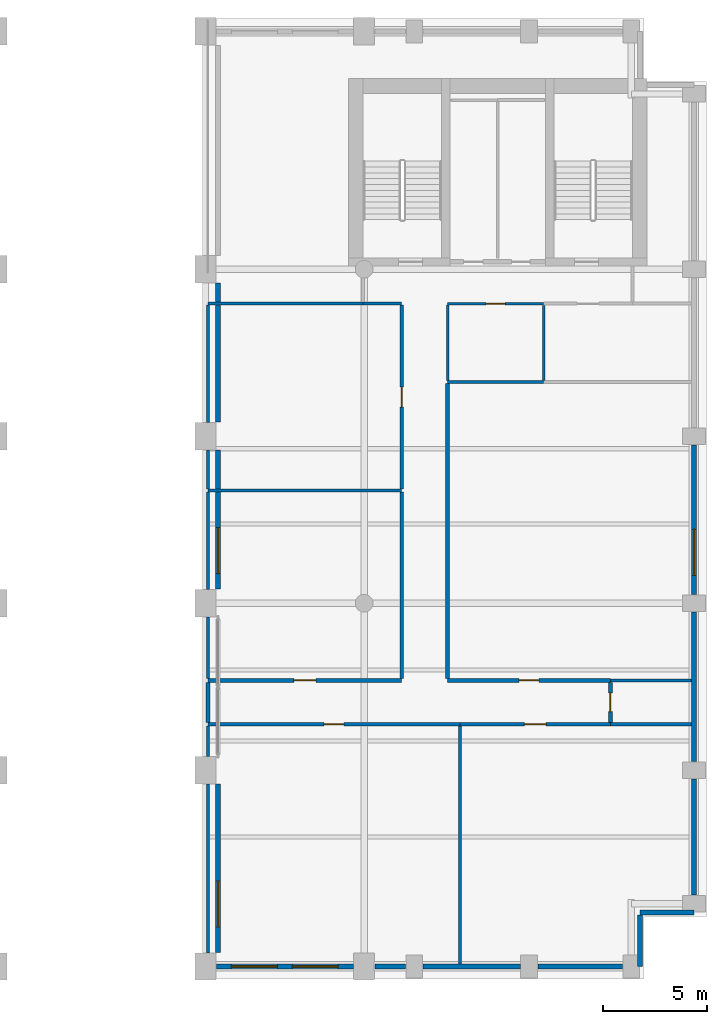
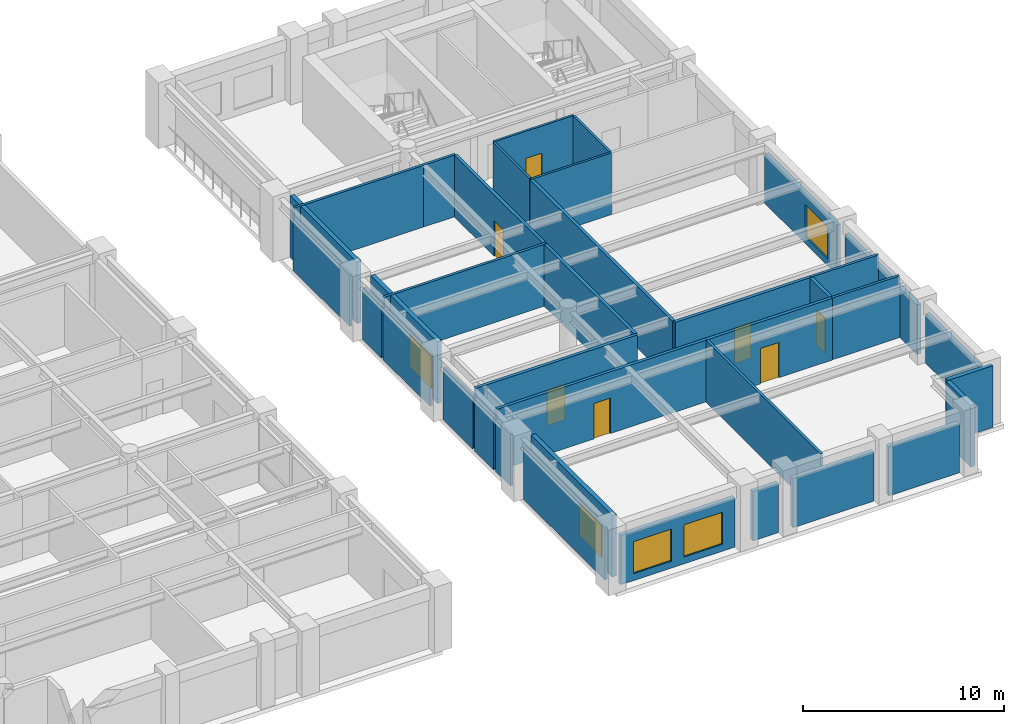
# One storey, part 6 of 10: 37 walls, 7 doors, 5 windows, 12 openings.
"""IFC4 building model written with IfcOpenShell, lengths in metres."""

from ifc_helpers import new_model, si_unit, direction, frame, frame_2d, origin, place, context, subcontext, project, spatial, rectangle, extrude, material, layer, layer_set, type_object, element, fill, save


model = new_model("IFC4")

# Units and contexts
model_context = context("Model", 3, precision=1e-05, world=origin(), true_north=direction((0.0, 1.0)))
body_context = subcontext(model_context, "Body", "Model", "MODEL_VIEW")
ifc_project = project(units=[si_unit("LENGTHUNIT", "METRE"), si_unit("AREAUNIT", "SQUARE_METRE"), si_unit("VOLUMEUNIT", "CUBIC_METRE"), si_unit("PLANEANGLEUNIT", "RADIAN"), si_unit("MASSUNIT", "GRAM", prefix="KILO")], contexts=[model_context])

# Site, building, storey
site_placement = place(None, origin())
site = spatial("IfcSite", under=ifc_project, at=site_placement, CompositionType="ELEMENT")
building_placement = place(site_placement, origin())
building = spatial("IfcBuilding", under=site, at=building_placement, Name="Sulina Concourse Tower", CompositionType="ELEMENT")
storey_placement = place(building_placement, frame((0.0, 0.0, 190.60009765625)))
storey = spatial("IfcBuildingStorey", under=building, at=storey_placement, Name="L46", CompositionType="ELEMENT", Elevation=190.60009765625)

# Wall, openings, windows
ifc_material_1 = material(Name="Precast concrete C50/60", Category="concrete")
ifc_layer_1 = layer(ifc_material_1, 0.239990234375)
ifc_layer_set_1 = layer_set([ifc_layer_1], Name="Precast concrete C50/60")
wall_type_1 = type_object("IfcWallType", Name="Crown Precast Masonry-Frame Facade Wall 240mm", PredefinedType="SOLIDWALL", material=ifc_layer_set_1)
wall_1_placement = place(storey_placement, frame((41.080078125, 0.60009765625, 0.0), z_axis=(0.0, 0.0, 1.0), x_axis=(-1.0, 0.0, 0.0)))
wall_1 = element("IfcWall", 1, at=wall_1_placement, inside=storey, type_object=wall_type_1, Name="L46 exterior precast wall S6", PredefinedType="SOLIDWALL", context=body_context, shape_type="SweptSolid", body=[
    extrude(rectangle(XDim=6.56005859375, YDim=0.239990234375, at=frame_2d((3.280029296875, 0.0))), origin(), (0.0, 0.0, 1.0), 3.0),
])
opening_1_placement = place(wall_1_placement, frame((0.719970703125, 0.0, 0.419921875)))
opening_1 = element("IfcOpeningElement", 2, at=opening_1_placement, cuts=wall_1, Name="Opening WN-76", PredefinedType="OPENING", context=body_context, shape_type="SweptSolid", body=[
    extrude(rectangle(XDim=2.199951171875, YDim=1.949951171875, at=frame_2d((1.10009765625, 0.97509765625))), frame((0.0, 0.1298828125, 0.0), z_axis=(0.0, -1.0, 0.0), x_axis=(1.0, 0.0, 0.0)), (0.0, 0.0, 1.0), 0.260009765625),
])
opening_2_placement = place(wall_1_placement, frame((3.639892578125, 0.0, 0.419921875)))
opening_2 = element("IfcOpeningElement", 3, at=opening_2_placement, cuts=wall_1, Name="Opening WN-76", PredefinedType="OPENING", context=body_context, shape_type="SweptSolid", body=[
    extrude(rectangle(XDim=2.199951171875, YDim=1.949951171875, at=frame_2d((1.10009765625, 0.97509765625))), frame((0.0, 0.1298828125, 0.0), z_axis=(0.0, -1.0, 0.0), x_axis=(1.0, 0.0, 0.0)), (0.0, 0.0, 1.0), 0.260009765625),
])
ifc_material_2 = material(Name="Low-E solar double glazing in bronze aluminium", Category="aluminium")
window_type = type_object("IfcWindowType", Name="Recessed Spandrel Window 2200x1950", PartitioningType="DOUBLE_PANEL_VERTICAL", PredefinedType="WINDOW", material=ifc_material_2)
window_1_placement = place(opening_1_placement, origin())
window_1 = element("IfcWindow", 4, at=window_1_placement, inside=storey, type_object=window_type, Name="L46 punched window S6-1", OverallHeight=1.949951171875, OverallWidth=2.199951171875, PartitioningType="SINGLE_PANEL", PredefinedType="WINDOW", context=body_context, shape_type="SweptSolid", body=[
    extrude(rectangle(XDim=2.199951171875, YDim=1.949951171875, at=frame_2d((1.10009765625, 0.97509765625))), frame((0.0, 0.030029296875, 0.0), z_axis=(0.0, -1.0, 0.0), x_axis=(1.0, 0.0, 0.0)), (0.0, 0.0, 1.0), 0.06005859375),
])
fill(opening_1, window_1)
window_2_placement = place(opening_2_placement, origin())
window_2 = element("IfcWindow", 5, at=window_2_placement, inside=storey, type_object=window_type, Name="L46 punched window S6-2", OverallHeight=1.949951171875, OverallWidth=2.199951171875, PartitioningType="SINGLE_PANEL", PredefinedType="WINDOW", context=body_context, shape_type="SweptSolid", body=[
    extrude(rectangle(XDim=2.199951171875, YDim=1.949951171875, at=frame_2d((1.10009765625, 0.97509765625))), frame((0.0, 0.030029296875, 0.0), z_axis=(0.0, -1.0, 0.0), x_axis=(1.0, 0.0, 0.0)), (0.0, 0.0, 1.0), 0.06005859375),
])
fill(opening_2, window_2)

# Walls
wall_2_placement = place(storey_placement, frame((43.580078125, 0.60009765625, 0.0), z_axis=(0.0, 0.0, 1.0), x_axis=(-1.0, 0.0, 0.0)))
element("IfcWall", 6, at=wall_2_placement, inside=storey, type_object=wall_type_1, Name="L46 exterior precast wall S7", PredefinedType="SOLIDWALL", context=body_context, shape_type="SweptSolid", body=[
    extrude(rectangle(XDim=1.4599609375, YDim=0.239990234375, at=frame_2d((0.72998046875, 0.0))), origin(), (0.0, 0.0, 1.0), 3.0),
])
wall_3_placement = place(storey_placement, frame((49.080078125, 0.60009765625, 0.0), z_axis=(0.0, 0.0, 1.0), x_axis=(-1.0, 0.0, 0.0)))
element("IfcWall", 7, at=wall_3_placement, inside=storey, type_object=wall_type_1, Name="L46 exterior precast wall S8", PredefinedType="SOLIDWALL", context=body_context, shape_type="SweptSolid", body=[
    extrude(rectangle(XDim=4.66015625, YDim=0.239990234375, at=frame_2d((2.330078125, 0.0))), origin(), (0.0, 0.0, 1.0), 3.0),
])
wall_4_placement = place(storey_placement, frame((53.97998046875, 0.60009765625, 0.0), z_axis=(0.0, 0.0, 1.0), x_axis=(-1.0, 0.0, 0.0)))
element("IfcWall", 8, at=wall_4_placement, inside=storey, type_object=wall_type_1, Name="L46 exterior precast wall S9", PredefinedType="SOLIDWALL", context=body_context, shape_type="SweptSolid", body=[
    extrude(rectangle(XDim=4.06005859375, YDim=0.239990234375, at=frame_2d((2.030029296875, 0.0))), origin(), (0.0, 0.0, 1.0), 3.0),
])
wall_5_placement = place(storey_placement, frame((57.39990234375, 9.580078125, 0.0), z_axis=(0.0, 0.0, 1.0), x_axis=(0.0, -1.0, 0.0)))
element("IfcWall", 9, at=wall_5_placement, inside=storey, type_object=wall_type_1, Name="L46 exterior precast wall E1", PredefinedType="SOLIDWALL", context=body_context, shape_type="SweptSolid", body=[
    extrude(rectangle(XDim=5.56005859375, YDim=0.239990234375, at=frame_2d((2.780029296875, 0.0))), origin(), (0.0, 0.0, 1.0), 3.0),
])
wall_6_placement = place(storey_placement, frame((57.39990234375, 17.580078125, 0.0), z_axis=(0.0, 0.0, 1.0), x_axis=(0.0, -1.0, 0.0)))
element("IfcWall", 10, at=wall_6_placement, inside=storey, type_object=wall_type_1, Name="L46 exterior precast wall E2", PredefinedType="SOLIDWALL", context=body_context, shape_type="SweptSolid", body=[
    extrude(rectangle(XDim=7.16015625, YDim=0.239990234375, at=frame_2d((3.580078125, 0.0))), origin(), (0.0, 0.0, 1.0), 3.0),
])

# Wall, opening, window
wall_7_placement = place(storey_placement, frame((57.39990234375, 25.580078125, 0.0), z_axis=(0.0, 0.0, 1.0), x_axis=(0.0, -1.0, 0.0)))
wall_7 = element("IfcWall", 11, at=wall_7_placement, inside=storey, type_object=wall_type_1, Name="L46 exterior precast wall E3", PredefinedType="SOLIDWALL", context=body_context, shape_type="SweptSolid", body=[
    extrude(rectangle(XDim=7.16015625, YDim=0.239990234375, at=frame_2d((3.580078125, 0.0))), origin(), (0.0, 0.0, 1.0), 3.0),
])
opening_3_placement = place(wall_7_placement, frame((4.0400390625, 0.0, 0.419921875)))
opening_3 = element("IfcOpeningElement", 12, at=opening_3_placement, cuts=wall_7, Name="Opening WN-76", PredefinedType="OPENING", context=body_context, shape_type="SweptSolid", body=[
    extrude(rectangle(XDim=2.199951171875, YDim=1.949951171875, at=frame_2d((1.10009765625, 0.97509765625))), frame((0.0, 0.1298828125, 0.0), z_axis=(0.0, -1.0, 0.0), x_axis=(1.0, 0.0, 0.0)), (0.0, 0.0, 1.0), 0.260009765625),
])
window_3_placement = place(opening_3_placement, origin())
window_3 = element("IfcWindow", 13, at=window_3_placement, inside=storey, type_object=window_type, Name="L46 punched window E3-1", OverallHeight=1.949951171875, OverallWidth=2.199951171875, PartitioningType="SINGLE_PANEL", PredefinedType="WINDOW", context=body_context, shape_type="SweptSolid", body=[
    extrude(rectangle(XDim=2.199951171875, YDim=1.949951171875, at=frame_2d((1.10009765625, 0.97509765625))), frame((0.0, 0.030029296875, 0.0), z_axis=(0.0, -1.0, 0.0), x_axis=(1.0, 0.0, 0.0)), (0.0, 0.0, 1.0), 0.06005859375),
])
fill(opening_3, window_3)

# Walls
wall_8_placement = place(storey_placement, frame((57.39990234375, 3.179931640625, 0.0), z_axis=(0.0, 0.0, 1.0), x_axis=(-1.0, 0.0, 0.0)))
element("IfcWall", 14, at=wall_8_placement, inside=storey, type_object=wall_type_1, Name="L46 exterior precast wall CSE1", PredefinedType="SOLIDWALL", context=body_context, shape_type="SweptSolid", body=[
    extrude(rectangle(XDim=2.579833984375, YDim=0.239990234375, at=frame_2d((1.2900390625, 0.0))), origin(), (0.0, 0.0, 1.0), 3.75),
])
wall_9_placement = place(storey_placement, frame((54.820068359375, 3.054931640625, 0.0), z_axis=(0.0, 0.0, 1.0), x_axis=(0.0, -1.0, 0.0)))
element("IfcWall", 15, at=wall_9_placement, inside=storey, type_object=wall_type_1, Name="L46 exterior precast wall CSE2", PredefinedType="SOLIDWALL", context=body_context, shape_type="SweptSolid", body=[
    extrude(rectangle(XDim=2.454833984375, YDim=0.239990234375, at=frame_2d((1.2275390625, 0.0))), origin(), (0.0, 0.0, 1.0), 3.75),
])

# Wall, opening, window
wall_10_placement = place(storey_placement, frame((34.60009765625, 1.27001953125, 0.0), z_axis=(0.0, 0.0, 1.0), x_axis=(0.0, 1.0, 0.0)))
wall_10 = element("IfcWall", 16, at=wall_10_placement, inside=storey, type_object=wall_type_1, Name="L46 exterior precast wall PE1", PredefinedType="SOLIDWALL", context=body_context, shape_type="SweptSolid", body=[
    extrude(rectangle(XDim=8.06005859375, YDim=0.239990234375, at=frame_2d((4.030029296875, 0.0))), origin(), (0.0, 0.0, 1.0), 3.75),
])
opening_4_placement = place(wall_10_placement, frame((1.219970703125, 0.0, 0.419921875)))
opening_4 = element("IfcOpeningElement", 17, at=opening_4_placement, cuts=wall_10, Name="Opening WN-76", PredefinedType="OPENING", context=body_context, shape_type="SweptSolid", body=[
    extrude(rectangle(XDim=2.199951171875, YDim=1.949951171875, at=frame_2d((1.10009765625, 0.97509765625))), frame((0.0, 0.1298828125, 0.0), z_axis=(0.0, -1.0, 0.0), x_axis=(1.0, 0.0, 0.0)), (0.0, 0.0, 1.0), 0.260009765625),
])
window_4_placement = place(opening_4_placement, origin())
window_4 = element("IfcWindow", 18, at=window_4_placement, inside=storey, type_object=window_type, Name="L46 punched window PE1-1", OverallHeight=1.949951171875, OverallWidth=2.199951171875, PartitioningType="SINGLE_PANEL", PredefinedType="WINDOW", context=body_context, shape_type="SweptSolid", body=[
    extrude(rectangle(XDim=2.199951171875, YDim=1.949951171875, at=frame_2d((1.10009765625, 0.97509765625))), frame((0.0, 0.030029296875, 0.0), z_axis=(0.0, -1.0, 0.0), x_axis=(1.0, 0.0, 0.0)), (0.0, 0.0, 1.0), 0.06005859375),
])
fill(opening_4, window_4)

wall_11_placement = place(storey_placement, frame((34.60009765625, 18.669921875, 0.0), z_axis=(0.0, 0.0, 1.0), x_axis=(0.0, 1.0, 0.0)))
wall_11 = element("IfcWall", 19, at=wall_11_placement, inside=storey, type_object=wall_type_1, Name="L46 exterior precast wall PE3", PredefinedType="SOLIDWALL", context=body_context, shape_type="SweptSolid", body=[
    extrude(rectangle(XDim=6.66015625, YDim=0.239990234375, at=frame_2d((3.330078125, 0.0))), origin(), (0.0, 0.0, 1.0), 3.75),
])
opening_5_placement = place(wall_11_placement, frame((0.75341796875, 0.0, 0.419921875)))
opening_5 = element("IfcOpeningElement", 20, at=opening_5_placement, cuts=wall_11, Name="Opening WN-76", PredefinedType="OPENING", context=body_context, shape_type="SweptSolid", body=[
    extrude(rectangle(XDim=2.199951171875, YDim=1.949951171875, at=frame_2d((1.10009765625, 0.97509765625))), frame((0.0, 0.1298828125, 0.0), z_axis=(0.0, -1.0, 0.0), x_axis=(1.0, 0.0, 0.0)), (0.0, 0.0, 1.0), 0.260009765625),
])
window_5_placement = place(opening_5_placement, origin())
window_5 = element("IfcWindow", 21, at=window_5_placement, inside=storey, type_object=window_type, Name="L46 punched window PE3-1", OverallHeight=1.949951171875, OverallWidth=2.199951171875, PartitioningType="SINGLE_PANEL", PredefinedType="WINDOW", context=body_context, shape_type="SweptSolid", body=[
    extrude(rectangle(XDim=2.199951171875, YDim=1.949951171875, at=frame_2d((1.10009765625, 0.97509765625))), frame((0.0, 0.030029296875, 0.0), z_axis=(0.0, -1.0, 0.0), x_axis=(1.0, 0.0, 0.0)), (0.0, 0.0, 1.0), 0.06005859375),
])
fill(opening_5, window_5)

# Walls
wall_12_placement = place(storey_placement, frame((34.60009765625, 26.669921875, 0.0), z_axis=(0.0, 0.0, 1.0), x_axis=(0.0, 1.0, 0.0)))
element("IfcWall", 22, at=wall_12_placement, inside=storey, type_object=wall_type_1, Name="L46 exterior precast wall PE4", PredefinedType="SOLIDWALL", context=body_context, shape_type="SweptSolid", body=[
    extrude(rectangle(XDim=6.66015625, YDim=0.239990234375, at=frame_2d((3.330078125, 0.0))), origin(), (0.0, 0.0, 1.0), 3.75),
])
ifc_material_3 = material(Name="Gypsum board on steel stud", Category="steel")
ifc_layer_2 = layer(ifc_material_3, 0.14990234375)
ifc_layer_set_2 = layer_set([ifc_layer_2], Name="Gypsum board on steel stud")
wall_type_2 = type_object("IfcWallType", Name="Inter-Tenancy Acoustic Partition 150mm", PredefinedType="PARTITIONING", material=ifc_layer_set_2)
for number, where, z_axis, x_axis, name in (
    (23, (53.39990234375, 12.199951171875, 0.0), (0.0, 0.0, 1.0), (1.0, 0.0, 0.0), "L46 interior partition 009"),
    (24, (53.39990234375, 14.300048828125, 0.0), (0.0, 0.0, 1.0), (1.0, 0.0, 0.0), "L46 interior partition 012"),
):
    element("IfcWall", number, at=place(storey_placement, frame(where, z_axis=z_axis, x_axis=x_axis)), inside=storey, type_object=wall_type_2, Name=name, PredefinedType="PARTITIONING", context=body_context, shape_type="SweptSolid", body=[
        extrude(rectangle(XDim=3.880126953125, YDim=0.14990234375, at=frame_2d((1.93994140625, 0.0))), origin(), (0.0, 0.0, 1.0), 3.75),
    ])
wall_13_placement = place(storey_placement, frame((34.1201171875, 23.39990234375, 0.0), z_axis=(0.0, 0.0, 1.0), x_axis=(1.0, 0.0, 0.0)))
element("IfcWall", 25, at=wall_13_placement, inside=storey, type_object=wall_type_2, Name="L46 interior partition 018", PredefinedType="PARTITIONING", context=body_context, shape_type="SweptSolid", body=[
    extrude(rectangle(XDim=9.27978515625, YDim=0.14990234375, at=frame_2d((4.639892578125, 0.0))), origin(), (0.0, 0.0, 1.0), 3.75),
])
wall_14_placement = place(storey_placement, frame((34.1201171875, 32.35009765625, 0.0), z_axis=(0.0, 0.0, 1.0), x_axis=(1.0, 0.0, 0.0)))
element("IfcWall", 26, at=wall_14_placement, inside=storey, type_object=wall_type_2, Name="L46 interior partition 029", PredefinedType="PARTITIONING", context=body_context, shape_type="SweptSolid", body=[
    extrude(rectangle(XDim=7.429931640625, YDim=0.14990234375, at=frame_2d((3.71484375, 0.0))), origin(), (0.0, 0.0, 1.0), 3.75),
])
wall_15_placement = place(storey_placement, frame((41.550048828125, 32.35009765625, 0.0), z_axis=(0.0, 0.0, 1.0), x_axis=(1.0, 0.0, 0.0)))
element("IfcWall", 27, at=wall_15_placement, inside=storey, type_object=wall_type_2, Name="L46 interior partition 030", PredefinedType="PARTITIONING", context=body_context, shape_type="SweptSolid", body=[
    extrude(rectangle(XDim=1.849853515625, YDim=0.14990234375, at=frame_2d((0.9248046875, 0.0))), origin(), (0.0, 0.0, 1.0), 3.75),
])
wall_16_placement = place(storey_placement, frame((34.1201171875, 1.25, 0.0), z_axis=(0.0, 0.0, 1.0), x_axis=(0.0, 1.0, 0.0)))
element("IfcWall", 28, at=wall_16_placement, inside=storey, type_object=wall_type_2, Name="L46 interior partition 056", PredefinedType="PARTITIONING", context=body_context, shape_type="SweptSolid", body=[
    extrude(rectangle(XDim=8.10009765625, YDim=0.14990234375, at=frame_2d((4.050048828125, 0.0))), origin(), (0.0, 0.0, 1.0), 3.14501953125),
])
wall_17_placement = place(storey_placement, frame((34.1201171875, 10.64990234375, 0.0), z_axis=(0.0, 0.0, 1.0), x_axis=(0.0, 1.0, 0.0)))
element("IfcWall", 29, at=wall_17_placement, inside=storey, type_object=wall_type_2, Name="L46 interior partition 057", PredefinedType="PARTITIONING", context=body_context, shape_type="SweptSolid", body=[
    extrude(rectangle(XDim=1.460205078125, YDim=0.14990234375, at=frame_2d((0.72998046875, 0.0))), origin(), (0.0, 0.0, 1.0), 3.14501953125),
])
wall_18_placement = place(storey_placement, frame((34.1201171875, 14.389892578125, 0.0), z_axis=(0.0, 0.0, 1.0), x_axis=(0.0, 1.0, 0.0)))
element("IfcWall", 30, at=wall_18_placement, inside=storey, type_object=wall_type_2, Name="L46 interior partition 059", PredefinedType="PARTITIONING", context=body_context, shape_type="SweptSolid", body=[
    extrude(rectangle(XDim=2.960205078125, YDim=0.14990234375, at=frame_2d((1.47998046875, 0.0))), origin(), (0.0, 0.0, 1.0), 3.14501953125),
])
wall_19_placement = place(storey_placement, frame((34.1201171875, 18.64990234375, 0.0), z_axis=(0.0, 0.0, 1.0), x_axis=(0.0, 1.0, 0.0)))
element("IfcWall", 31, at=wall_19_placement, inside=storey, type_object=wall_type_2, Name="L46 interior partition 060", PredefinedType="PARTITIONING", context=body_context, shape_type="SweptSolid", body=[
    extrude(rectangle(XDim=4.675048828125, YDim=0.14990234375, at=frame_2d((2.33740234375, 0.0))), origin(), (0.0, 0.0, 1.0), 3.14501953125),
])
wall_20_placement = place(storey_placement, frame((34.1201171875, 23.47509765625, 0.0), z_axis=(0.0, 0.0, 1.0), x_axis=(0.0, 1.0, 0.0)))
element("IfcWall", 32, at=wall_20_placement, inside=storey, type_object=wall_type_2, Name="L46 interior partition 061", PredefinedType="PARTITIONING", context=body_context, shape_type="SweptSolid", body=[
    extrude(rectangle(XDim=1.875, YDim=0.14990234375, at=frame_2d((0.9375, 0.0))), origin(), (0.0, 0.0, 1.0), 3.14501953125),
])
wall_21_placement = place(storey_placement, frame((34.1201171875, 26.64990234375, 0.0), z_axis=(0.0, 0.0, 1.0), x_axis=(0.0, 1.0, 0.0)))
element("IfcWall", 33, at=wall_21_placement, inside=storey, type_object=wall_type_2, Name="L46 interior partition 062", PredefinedType="PARTITIONING", context=body_context, shape_type="SweptSolid", body=[
    extrude(rectangle(XDim=5.625, YDim=0.14990234375, at=frame_2d((2.8125, 0.0))), origin(), (0.0, 0.0, 1.0), 3.14501953125),
])
wall_22_placement = place(storey_placement, frame((46.199951171875, 0.719970703125, 0.0), z_axis=(0.0, 0.0, 1.0), x_axis=(0.0, 1.0, 0.0)))
element("IfcWall", 34, at=wall_22_placement, inside=storey, type_object=wall_type_2, Name="L46 interior partition 068", PredefinedType="PARTITIONING", context=body_context, shape_type="SweptSolid", body=[
    extrude(rectangle(XDim=11.39013671875, YDim=0.14990234375, at=frame_2d((5.695068359375, 0.0))), origin(), (0.0, 0.0, 1.0), 3.75),
])

# Wall, opening, door
ifc_material_4 = material(Name="Gypsum board on steel stud", Category="steel")
ifc_layer_3 = layer(ifc_material_4, 0.179931640625)
ifc_layer_set_3 = layer_set([ifc_layer_3], Name="Gypsum board on steel stud")
wall_type_3 = type_object("IfcWallType", Name="Protected Corridor & Riser Partition 180mm", PredefinedType="PARTITIONING", material=ifc_layer_set_3)
wall_23_placement = place(storey_placement, frame((34.1201171875, 12.199951171875, 0.0), z_axis=(0.0, 0.0, 1.0), x_axis=(1.0, 0.0, 0.0)))
wall_23 = element("IfcWall", 35, at=wall_23_placement, inside=storey, type_object=wall_type_3, Name="L46 interior partition 007", PredefinedType="PARTITIONING", context=body_context, shape_type="SweptSolid", body=[
    extrude(rectangle(XDim=12.079833984375, YDim=0.179931640625, at=frame_2d((6.0400390625, 0.0))), origin(), (0.0, 0.0, 1.0), 3.75),
])
opening_6_placement = place(wall_23_placement, frame((5.56494140625, 0.0, 0.0)))
opening_6 = element("IfcOpeningElement", 36, at=opening_6_placement, cuts=wall_23, Name="Opening DR-19", PredefinedType="OPENING", context=body_context, shape_type="SweptSolid", body=[
    extrude(rectangle(XDim=0.949951171875, YDim=2.14990234375, at=frame_2d((0.47509765625, 1.074951171875))), frame((0.0, 0.099853515625, 0.0), z_axis=(0.0, -1.0, 0.0), x_axis=(1.0, 0.0, 0.0)), (0.0, 0.0, 1.0), 0.199951171875),
])
ifc_material_5 = material(Name="Oak-veneered acoustic timber leaf", Category="wood")
ifc_layer_4 = layer(ifc_material_5, 0.050048828125)
ifc_layer_set_4 = layer_set([ifc_layer_4], Name="Oak-veneered acoustic timber leaf")
door_type_1 = type_object("IfcDoorType", Name="Cellular Office & Meeting Door 950x2150", OperationType="NOTDEFINED", PredefinedType="DOOR", material=ifc_layer_set_4)
door_1_placement = place(opening_6_placement, origin())
door_1 = element("IfcDoor", 37, at=door_1_placement, inside=storey, type_object=door_type_1, Name="L46 interior door L46-OFF-EU1", OperationType="SINGLE_SWING_LEFT", OverallHeight=2.14990234375, OverallWidth=0.949951171875, PredefinedType="DOOR", context=body_context, shape_type="SweptSolid", body=[
    extrude(rectangle(XDim=0.949951171875, YDim=2.14990234375, at=frame_2d((0.47509765625, 1.074951171875))), frame((0.0, 0.02490234375, 0.0), z_axis=(0.0, -1.0, 0.0), x_axis=(1.0, 0.0, 0.0)), (0.0, 0.0, 1.0), 0.050048828125),
])
fill(opening_6, door_1)

wall_24_placement = place(storey_placement, frame((46.199951171875, 12.199951171875, 0.0), z_axis=(0.0, 0.0, 1.0), x_axis=(1.0, 0.0, 0.0)))
wall_24 = element("IfcWall", 38, at=wall_24_placement, inside=storey, type_object=wall_type_3, Name="L46 interior partition 008", PredefinedType="PARTITIONING", context=body_context, shape_type="SweptSolid", body=[
    extrude(rectangle(XDim=7.199951171875, YDim=0.179931640625, at=frame_2d((3.60009765625, 0.0))), origin(), (0.0, 0.0, 1.0), 3.75),
])
opening_7_placement = place(wall_24_placement, frame((3.074951171875, 0.0, 0.0)))
opening_7 = element("IfcOpeningElement", 39, at=opening_7_placement, cuts=wall_24, Name="Opening DR-37", PredefinedType="OPENING", context=body_context, shape_type="SweptSolid", body=[
    extrude(rectangle(XDim=1.050048828125, YDim=2.14990234375, at=frame_2d((0.52490234375, 1.074951171875))), frame((0.0, 0.099853515625, 0.0), z_axis=(0.0, -1.0, 0.0), x_axis=(1.0, 0.0, 0.0)), (0.0, 0.0, 1.0), 0.199951171875),
])
ifc_material_6 = material(Name="Oak-veneered fire door leaf")
ifc_layer_5 = layer(ifc_material_6, 0.050048828125)
ifc_layer_set_5 = layer_set([ifc_layer_5], Name="Oak-veneered fire door leaf")
door_type_2 = type_object("IfcDoorType", Name="Tenant Suite Entrance Fire Door 1050x2150", OperationType="NOTDEFINED", PredefinedType="DOOR", material=ifc_layer_set_5)
door_2_placement = place(opening_7_placement, origin())
door_2 = element("IfcDoor", 40, at=door_2_placement, inside=storey, type_object=door_type_2, Name="L46 interior door L46-MTG-EU1", OperationType="SINGLE_SWING_RIGHT", OverallHeight=2.14990234375, OverallWidth=1.050048828125, PredefinedType="DOOR", context=body_context, shape_type="SweptSolid", body=[
    extrude(rectangle(XDim=1.050048828125, YDim=2.14990234375, at=frame_2d((0.52490234375, 1.074951171875))), frame((0.0, 0.02490234375, 0.0), z_axis=(0.0, -1.0, 0.0), x_axis=(1.0, 0.0, 0.0)), (0.0, 0.0, 1.0), 0.050048828125),
])
fill(opening_7, door_2)

wall_25_placement = place(storey_placement, frame((34.1201171875, 14.300048828125, 0.0), z_axis=(0.0, 0.0, 1.0), x_axis=(1.0, 0.0, 0.0)))
wall_25 = element("IfcWall", 41, at=wall_25_placement, inside=storey, type_object=wall_type_3, Name="L46 interior partition 010", PredefinedType="PARTITIONING", context=body_context, shape_type="SweptSolid", body=[
    extrude(rectangle(XDim=9.27978515625, YDim=0.179931640625, at=frame_2d((4.639892578125, 0.0))), origin(), (0.0, 0.0, 1.0), 3.75),
])
opening_8_placement = place(wall_25_placement, frame((4.114990234375, 0.0, 0.0)))
opening_8 = element("IfcOpeningElement", 42, at=opening_8_placement, cuts=wall_25, Name="Opening DR-37", PredefinedType="OPENING", context=body_context, shape_type="SweptSolid", body=[
    extrude(rectangle(XDim=1.050048828125, YDim=2.14990234375, at=frame_2d((0.52490234375, 1.074951171875))), frame((0.0, 0.099853515625, 0.0), z_axis=(0.0, -1.0, 0.0), x_axis=(1.0, 0.0, 0.0)), (0.0, 0.0, 1.0), 0.199951171875),
])
door_3_placement = place(opening_8_placement, origin())
door_3 = element("IfcDoor", 43, at=door_3_placement, inside=storey, type_object=door_type_2, Name="L46 interior door L46-STD-EU1", OperationType="SINGLE_SWING_LEFT", OverallHeight=2.14990234375, OverallWidth=1.050048828125, PredefinedType="DOOR", context=body_context, shape_type="SweptSolid", body=[
    extrude(rectangle(XDim=1.050048828125, YDim=2.14990234375, at=frame_2d((0.52490234375, 1.074951171875))), frame((0.0, 0.02490234375, 0.0), z_axis=(0.0, -1.0, 0.0), x_axis=(1.0, 0.0, 0.0)), (0.0, 0.0, 1.0), 0.050048828125),
])
fill(opening_8, door_3)

wall_26_placement = place(storey_placement, frame((45.60009765625, 14.300048828125, 0.0), z_axis=(0.0, 0.0, 1.0), x_axis=(1.0, 0.0, 0.0)))
wall_26 = element("IfcWall", 44, at=wall_26_placement, inside=storey, type_object=wall_type_3, Name="L46 interior partition 011", PredefinedType="PARTITIONING", context=body_context, shape_type="SweptSolid", body=[
    extrude(rectangle(XDim=7.7998046875, YDim=0.179931640625, at=frame_2d((3.89990234375, 0.0))), origin(), (0.0, 0.0, 1.0), 3.75),
])
opening_9_placement = place(wall_26_placement, frame((3.425048828125, 0.0, 0.0)))
opening_9 = element("IfcOpeningElement", 45, at=opening_9_placement, cuts=wall_26, Name="Opening DR-19", PredefinedType="OPENING", context=body_context, shape_type="SweptSolid", body=[
    extrude(rectangle(XDim=0.949951171875, YDim=2.14990234375, at=frame_2d((0.47509765625, 1.074951171875))), frame((0.0, 0.099853515625, 0.0), z_axis=(0.0, -1.0, 0.0), x_axis=(1.0, 0.0, 0.0)), (0.0, 0.0, 1.0), 0.199951171875),
])
door_4_placement = place(opening_9_placement, origin())
door_4 = element("IfcDoor", 46, at=door_4_placement, inside=storey, type_object=door_type_1, Name="L46 interior door L46-OFF-EU3", OperationType="SINGLE_SWING_RIGHT", OverallHeight=2.14990234375, OverallWidth=0.949951171875, PredefinedType="DOOR", context=body_context, shape_type="SweptSolid", body=[
    extrude(rectangle(XDim=0.949951171875, YDim=2.14990234375, at=frame_2d((0.47509765625, 1.074951171875))), frame((0.0, 0.02490234375, 0.0), z_axis=(0.0, -1.0, 0.0), x_axis=(1.0, 0.0, 0.0)), (0.0, 0.0, 1.0), 0.050048828125),
])
fill(opening_9, door_4)

# Walls
wall_27_placement = place(storey_placement, frame((34.1201171875, 12.2900390625, 0.0), z_axis=(0.0, 0.0, 1.0), x_axis=(0.0, 1.0, 0.0)))
element("IfcWall", 47, at=wall_27_placement, inside=storey, type_object=wall_type_3, Name="L46 interior partition 058", PredefinedType="PARTITIONING", context=body_context, shape_type="SweptSolid", body=[
    extrude(rectangle(XDim=1.919921875, YDim=0.179931640625, at=frame_2d((0.9599609375, 0.0))), origin(), (0.0, 0.0, 1.0), 3.14501953125),
])
wall_28_placement = place(storey_placement, frame((43.39990234375, 14.389892578125, 0.0), z_axis=(0.0, 0.0, 1.0), x_axis=(0.0, 1.0, 0.0)))
element("IfcWall", 48, at=wall_28_placement, inside=storey, type_object=wall_type_3, Name="L46 interior partition 064", PredefinedType="PARTITIONING", context=body_context, shape_type="SweptSolid", body=[
    extrude(rectangle(XDim=8.93505859375, YDim=0.179931640625, at=frame_2d((4.467529296875, 0.0))), origin(), (0.0, 0.0, 1.0), 3.75),
])

# Wall, opening, door
wall_29_placement = place(storey_placement, frame((43.39990234375, 23.47509765625, 0.0), z_axis=(0.0, 0.0, 1.0), x_axis=(0.0, 1.0, 0.0)))
wall_29 = element("IfcWall", 49, at=wall_29_placement, inside=storey, type_object=wall_type_3, Name="L46 interior partition 065", PredefinedType="PARTITIONING", context=body_context, shape_type="SweptSolid", body=[
    extrude(rectangle(XDim=8.7998046875, YDim=0.179931640625, at=frame_2d((4.39990234375, 0.0))), origin(), (0.0, 0.0, 1.0), 3.75),
])
opening_10_placement = place(wall_29_placement, frame((3.925048828125, 0.0, 0.0)))
opening_10 = element("IfcOpeningElement", 50, at=opening_10_placement, cuts=wall_29, Name="Opening DR-19", PredefinedType="OPENING", context=body_context, shape_type="SweptSolid", body=[
    extrude(rectangle(XDim=0.949951171875, YDim=2.14990234375, at=frame_2d((0.47509765625, 1.074951171875))), frame((0.0, 0.099853515625, 0.0), z_axis=(0.0, -1.0, 0.0), x_axis=(1.0, 0.0, 0.0)), (0.0, 0.0, 1.0), 0.199951171875),
])
door_5_placement = place(opening_10_placement, origin())
door_5 = element("IfcDoor", 51, at=door_5_placement, inside=storey, type_object=door_type_1, Name="L46 interior door L46-OFF-EU2", OperationType="SINGLE_SWING_LEFT", OverallHeight=2.14990234375, OverallWidth=0.949951171875, PredefinedType="DOOR", context=body_context, shape_type="SweptSolid", body=[
    extrude(rectangle(XDim=0.949951171875, YDim=2.14990234375, at=frame_2d((0.47509765625, 1.074951171875))), frame((0.0, 0.02490234375, 0.0), z_axis=(0.0, -1.0, 0.0), x_axis=(1.0, 0.0, 0.0)), (0.0, 0.0, 1.0), 0.050048828125),
])
fill(opening_10, door_5)

# Wall
wall_30_placement = place(storey_placement, frame((45.60009765625, 14.389892578125, 0.0), z_axis=(0.0, 0.0, 1.0), x_axis=(0.0, 1.0, 0.0)))
element("IfcWall", 52, at=wall_30_placement, inside=storey, type_object=wall_type_3, Name="L46 interior partition 066", PredefinedType="PARTITIONING", context=body_context, shape_type="SweptSolid", body=[
    extrude(rectangle(XDim=14.147705078125, YDim=0.179931640625, at=frame_2d((7.07373046875, 0.0))), origin(), (0.0, 0.0, 1.0), 3.75),
])

# Wall, opening, door
wall_31_placement = place(storey_placement, frame((53.39990234375, 12.2900390625, 0.0), z_axis=(0.0, 0.0, 1.0), x_axis=(0.0, 1.0, 0.0)))
wall_31 = element("IfcWall", 53, at=wall_31_placement, inside=storey, type_object=wall_type_3, Name="L46 interior partition 071", PredefinedType="PARTITIONING", context=body_context, shape_type="SweptSolid", body=[
    extrude(rectangle(XDim=1.919921875, YDim=0.179931640625, at=frame_2d((0.9599609375, 0.0))), origin(), (0.0, 0.0, 1.0), 3.75),
])
opening_11_placement = place(wall_31_placement, frame((0.52001953125, 0.0, 0.0)))
opening_11 = element("IfcOpeningElement", 54, at=opening_11_placement, cuts=wall_31, Name="Opening DR-38", PredefinedType="OPENING", context=body_context, shape_type="SweptSolid", body=[
    extrude(rectangle(XDim=0.8798828125, YDim=2.10009765625, at=frame_2d((0.43994140625, 1.050048828125))), frame((0.0, 0.099853515625, 0.0), z_axis=(0.0, -1.0, 0.0), x_axis=(1.0, 0.0, 0.0)), (0.0, 0.0, 1.0), 0.199951171875),
])
ifc_material_7 = material(Name="Galvanised steel acoustic fire leaf", Category="steel")
ifc_layer_6 = layer(ifc_material_7, 0.050048828125)
ifc_layer_set_6 = layer_set([ifc_layer_6], Name="Galvanised steel acoustic fire leaf")
door_type_3 = type_object("IfcDoorType", Name="Service Riser Fire Door 880x2100", OperationType="NOTDEFINED", PredefinedType="DOOR", material=ifc_layer_set_6)
door_6_placement = place(opening_11_placement, origin())
door_6 = element("IfcDoor", 55, at=door_6_placement, inside=storey, type_object=door_type_3, Name="L46 interior door L46-STR-EU1", OperationType="SINGLE_SWING_RIGHT", OverallHeight=2.10009765625, OverallWidth=0.8798828125, PredefinedType="DOOR", context=body_context, shape_type="SweptSolid", body=[
    extrude(rectangle(XDim=0.8798828125, YDim=2.10009765625, at=frame_2d((0.43994140625, 1.050048828125))), frame((0.0, 0.02490234375, 0.0), z_axis=(0.0, -1.0, 0.0), x_axis=(1.0, 0.0, 0.0)), (0.0, 0.0, 1.0), 0.050048828125),
])
fill(opening_11, door_6)

# Wall
ifc_material_8 = material(Name="Gypsum board on steel stud", Category="steel")
ifc_layer_7 = layer(ifc_material_8, 0.125)
ifc_layer_set_7 = layer_set([ifc_layer_7], Name="Gypsum board on steel stud")
wall_type_4 = type_object("IfcWallType", Name="Wet-Area Moisture-Resistant Partition 125mm", PredefinedType="PARTITIONING", material=ifc_layer_set_7)
wall_32_placement = place(storey_placement, frame((45.60009765625, 28.60009765625, 0.0), z_axis=(0.0, 0.0, 1.0), x_axis=(1.0, 0.0, 0.0)))
element("IfcWall", 56, at=wall_32_placement, inside=storey, type_object=wall_type_4, Name="L46 interior partition 025", PredefinedType="PARTITIONING", context=body_context, shape_type="SweptSolid", body=[
    extrude(rectangle(XDim=4.599853515625, YDim=0.125, at=frame_2d((2.2998046875, 0.0))), origin(), (0.0, 0.0, 1.0), 3.75),
])

# Wall, opening, door
wall_33_placement = place(storey_placement, frame((45.60009765625, 32.35009765625, 0.0), z_axis=(0.0, 0.0, 1.0), x_axis=(1.0, 0.0, 0.0)))
wall_33 = element("IfcWall", 57, at=wall_33_placement, inside=storey, type_object=wall_type_4, Name="L46 interior partition 031", PredefinedType="PARTITIONING", context=body_context, shape_type="SweptSolid", body=[
    extrude(rectangle(XDim=4.599853515625, YDim=0.125, at=frame_2d((2.2998046875, 0.0))), origin(), (0.0, 0.0, 1.0), 3.75),
])
opening_12_placement = place(wall_33_placement, frame((1.840087890625, 0.0, 0.0)))
opening_12 = element("IfcOpeningElement", 58, at=opening_12_placement, cuts=wall_33, Name="Opening DR-61", PredefinedType="OPENING", context=body_context, shape_type="SweptSolid", body=[
    extrude(rectangle(XDim=0.919921875, YDim=2.10009765625, at=frame_2d((0.4599609375, 1.050048828125))), frame((0.0, 0.072509765625, 0.0), z_axis=(0.0, -1.0, 0.0), x_axis=(1.0, 0.0, 0.0)), (0.0, 0.0, 1.0), 0.14501953125),
])
ifc_material_9 = material(Name="Oak-veneered fire door leaf")
ifc_layer_8 = layer(ifc_material_9, 0.050048828125)
ifc_layer_set_8 = layer_set([ifc_layer_8], Name="Oak-veneered fire door leaf")
door_type_4 = type_object("IfcDoorType", Name="Accessible WC Door 920x2100", OperationType="NOTDEFINED", PredefinedType="DOOR", material=ifc_layer_set_8)
door_7_placement = place(opening_12_placement, origin())
door_7 = element("IfcDoor", 59, at=door_7_placement, inside=storey, type_object=door_type_4, Name="L46 interior door L46-WC-EA", OperationType="SINGLE_SWING_LEFT", OverallHeight=2.10009765625, OverallWidth=0.919921875, PredefinedType="DOOR", context=body_context, shape_type="SweptSolid", body=[
    extrude(rectangle(XDim=0.919921875, YDim=2.10009765625, at=frame_2d((0.4599609375, 1.050048828125))), frame((0.0, 0.02490234375, 0.0), z_axis=(0.0, -1.0, 0.0), x_axis=(1.0, 0.0, 0.0)), (0.0, 0.0, 1.0), 0.050048828125),
])
fill(opening_12, door_7)

# Walls
wall_34_placement = place(storey_placement, frame((45.60009765625, 28.66259765625, 0.0), z_axis=(0.0, 0.0, 1.0), x_axis=(0.0, 1.0, 0.0)))
element("IfcWall", 60, at=wall_34_placement, inside=storey, type_object=wall_type_4, Name="L46 interior partition 067", PredefinedType="PARTITIONING", context=body_context, shape_type="SweptSolid", body=[
    extrude(rectangle(XDim=3.625, YDim=0.125, at=frame_2d((1.8125, 0.0))), origin(), (0.0, 0.0, 1.0), 3.75),
])
wall_35_placement = place(storey_placement, frame((50.199951171875, 28.675048828125, 0.0), z_axis=(0.0, 0.0, 1.0), x_axis=(0.0, 1.0, 0.0)))
element("IfcWall", 61, at=wall_35_placement, inside=storey, type_object=wall_type_4, Name="L46 interior partition 070", PredefinedType="PARTITIONING", context=body_context, shape_type="SweptSolid", body=[
    extrude(rectangle(XDim=3.599853515625, YDim=0.125, at=frame_2d((1.7998046875, 0.0))), origin(), (0.0, 0.0, 1.0), 3.75),
])

save(model, "model.ifc")
